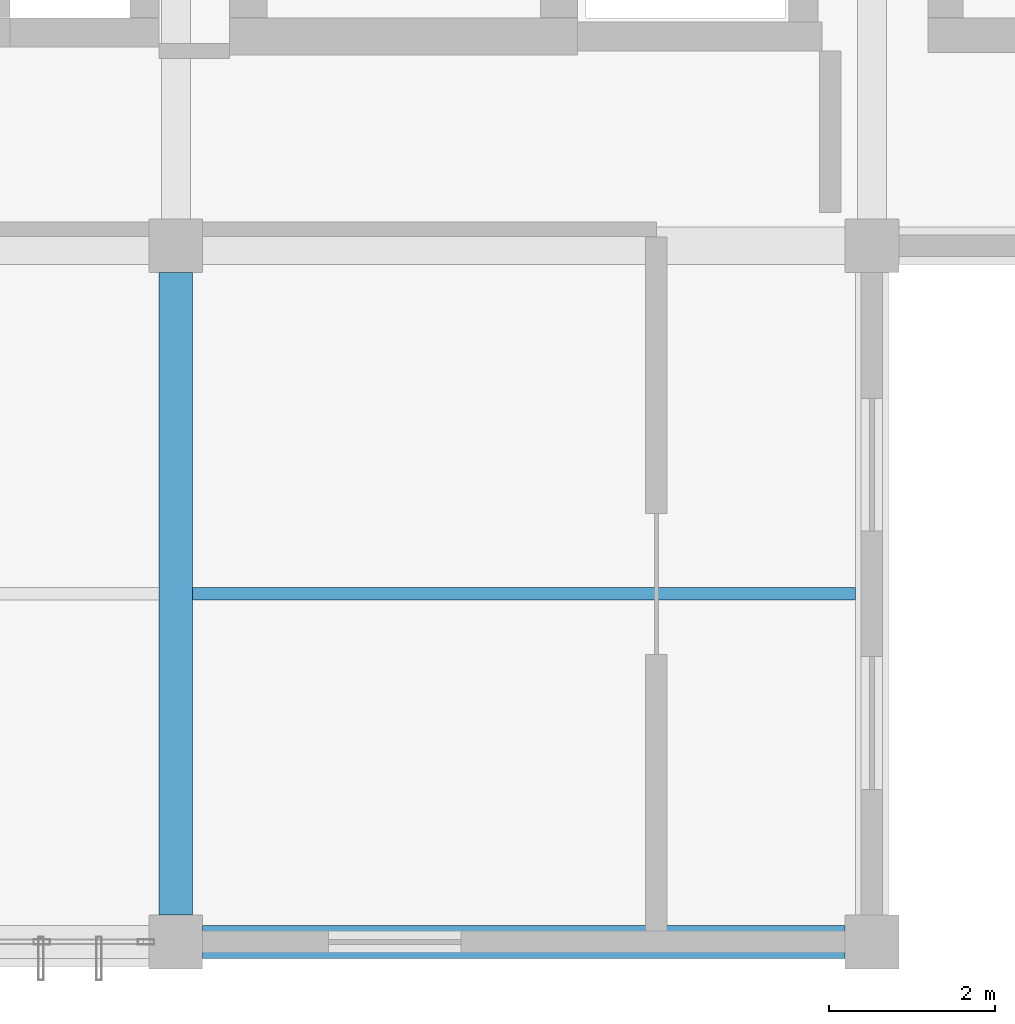
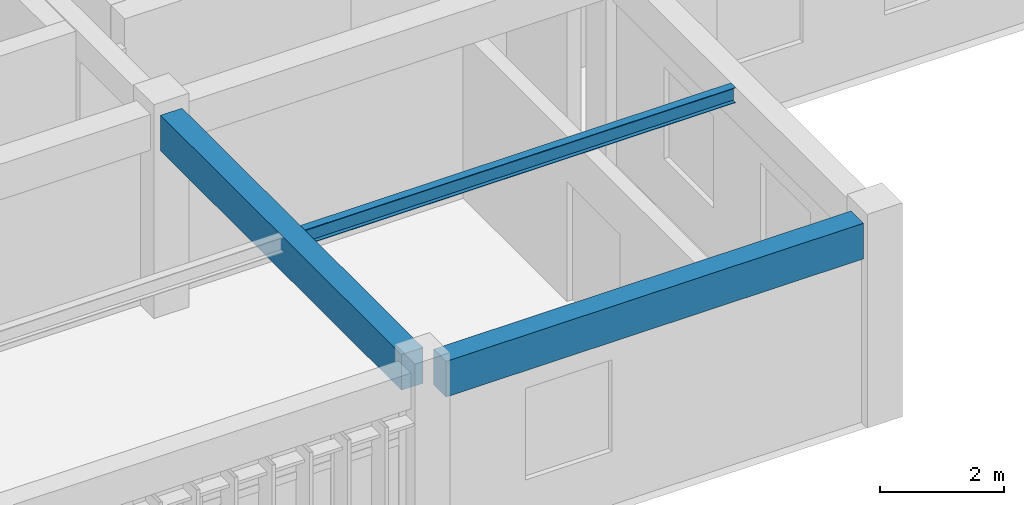
# One storey, part 6 of 23: 3 beams.
"""IFC4 building model written with IfcOpenShell, lengths in metres."""

from ifc_helpers import new_model, si_unit, direction, frame, origin, origin_2d, place, context, subcontext, project, spatial, rectangle, i_section, extrude, material, material_profile, profile_set, type_object, element, save


model = new_model("IFC4")

# Units and contexts
model_context = context("Model", 3, precision=1e-05, world=origin(), true_north=direction((0.0, 1.0)))
body_context = subcontext(model_context, "Body", "Model", "MODEL_VIEW")
ifc_project = project(units=[si_unit("LENGTHUNIT", "METRE"), si_unit("AREAUNIT", "SQUARE_METRE"), si_unit("VOLUMEUNIT", "CUBIC_METRE"), si_unit("PLANEANGLEUNIT", "RADIAN"), si_unit("MASSUNIT", "GRAM", prefix="KILO")], contexts=[model_context])

# Site, building, storey
site_placement = place(None, origin())
site = spatial("IfcSite", under=ifc_project, at=site_placement, CompositionType="ELEMENT")
building_placement = place(site_placement, origin())
building = spatial("IfcBuilding", under=site, at=building_placement, Name="Krzemoval Escarpment Law Courts", CompositionType="ELEMENT")
storey_placement = place(building_placement, frame((0.0, 0.0, 33.60009765625)))
storey = spatial("IfcBuildingStorey", under=building, at=storey_placement, Name="L07", CompositionType="ELEMENT", Elevation=33.60009765625)

# Beams
ifc_material_1 = material(Name="Concrete C40/50", Category="concrete")
ifc_material_profile_1 = material_profile(ifc_material_1, rectangle(XDim=0.39990234375, YDim=0.699951171875, at=origin_2d()), Name="RCB 400x700")
ifc_profile_set_1 = profile_set([ifc_material_profile_1], Name="Concrete C40/50")
beam_type_1 = type_object("IfcBeamType", Name="BM-RC-400x700", PredefinedType="BEAM", material=ifc_profile_set_1)
for number, where, z_axis, x_axis, name in (
    (1, (134.72509765625, 85.199951171875, 3.599853515625), (1.0, 0.0, 0.0), (0.0, 1.0, 0.0), "Beam FG-L07-2694"),
    (2, (134.39990234375, 85.52490234375, 3.599853515625), (0.0, 1.0, 0.0), (-1.0, 0.0, 0.0), "Beam FG-L07-2719"),
):
    element("IfcBeam", number, at=place(storey_placement, frame(where, z_axis=z_axis, x_axis=x_axis)), inside=storey, type_object=beam_type_1, Name=name, PredefinedType="BEAM", context=body_context, shape_type="SweptSolid", body=[
        extrude(rectangle(XDim=0.39990234375, YDim=0.699951171875, at=origin_2d()), origin(), (0.0, 0.0, 1.0), 7.75),
    ])
ifc_material_2 = material(Name="Steel S355", Category="steel")
ifc_material_profile_2 = material_profile(ifc_material_2, i_section(OverallWidth=0.14990234375, OverallDepth=0.300048828125, WebThickness=0.007080078125, FlangeThickness=0.0107421875, at=origin_2d()), Name="IPE 300")
ifc_profile_set_2 = profile_set([ifc_material_profile_2], Name="Steel S355")
beam_type_2 = type_object("IfcBeamType", Name="JST-S355-IPE300", PredefinedType="JOIST", material=ifc_profile_set_2)
beam_placement = place(storey_placement, frame((134.60009765625, 89.39990234375, 3.7998046875), z_axis=(1.0, 0.0, 0.0), x_axis=(0.0, 1.0, 0.0)))
element("IfcBeam", 3, at=beam_placement, inside=storey, type_object=beam_type_2, Name="Secondary Joist FJ-L07-2742", PredefinedType="JOIST", context=body_context, shape_type="SweptSolid", body=[
    extrude(i_section(OverallWidth=0.14990234375, OverallDepth=0.300048828125, WebThickness=0.007080078125, FlangeThickness=0.0107421875, at=origin_2d()), origin(), (0.0, 0.0, 1.0), 8.0),
])

save(model, "model.ifc")
